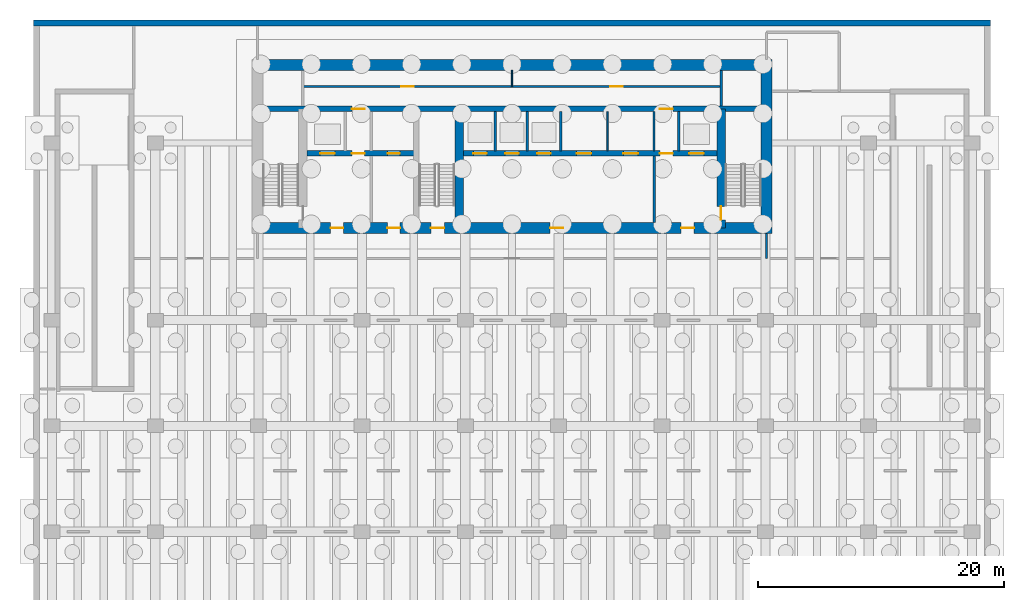
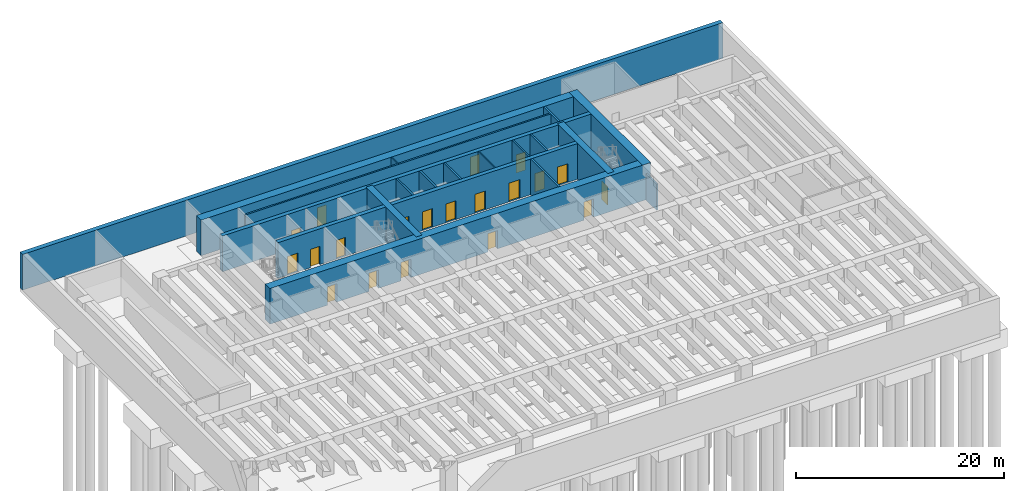
# One storey, part 5 of 10: 20 doors, 19 walls, 20 openings.
"""IFC4 building model written with IfcOpenShell, lengths in metres."""

from ifc_helpers import new_model, si_unit, direction, frame, frame_2d, origin, place, context, subcontext, project, spatial, rectangle, extrude, material, layer, layer_set, type_object, element, fill, save


model = new_model("IFC4")

# Units and contexts
model_context = context("Model", 3, precision=1e-05, world=origin(), true_north=direction((0.0, 1.0)))
body_context = subcontext(model_context, "Body", "Model", "MODEL_VIEW")
ifc_project = project(units=[si_unit("LENGTHUNIT", "METRE"), si_unit("AREAUNIT", "SQUARE_METRE"), si_unit("VOLUMEUNIT", "CUBIC_METRE"), si_unit("PLANEANGLEUNIT", "RADIAN"), si_unit("MASSUNIT", "GRAM", prefix="KILO")], contexts=[model_context])

# Site, building, storey
site_placement = place(None, origin())
site = spatial("IfcSite", under=ifc_project, at=site_placement, CompositionType="ELEMENT")
building_placement = place(site_placement, origin())
building = spatial("IfcBuilding", under=site, at=building_placement, Name="Caelmar Bay Residences", CompositionType="ELEMENT")
storey_placement = place(building_placement, frame((0.0, 0.0, -9.0)))
storey = spatial("IfcBuildingStorey", under=building, at=storey_placement, Name="B02", CompositionType="ELEMENT", Elevation=-9.0)

# Wall
ifc_material_1 = material(Name="Concrete f'c 40 MPa (6,000 psi)", Category="concrete")
ifc_layer_1 = layer(ifc_material_1, 0.5)
ifc_layer_set_1 = layer_set([ifc_layer_1], Name="Concrete f'c 40 MPa (6,000 psi)")
wall_type_1 = type_object("IfcWallType", Name="SW-BSM-500", PredefinedType="SOLIDWALL", material=ifc_layer_set_1)
wall_1_placement = place(storey_placement, frame((0.0, 53.550048828125, 0.0), z_axis=(0.0, 0.0, 1.0), x_axis=(1.0, 0.0, 0.0)))
element("IfcWall", 1, at=wall_1_placement, inside=storey, type_object=wall_type_1, Name="B02 Perimeter Concrete Retaining Wall N", PredefinedType="SOLIDWALL", context=body_context, shape_type="SweptSolid", body=[
    extrude(rectangle(XDim=77.800048828125, YDim=0.5, at=frame_2d((38.89990234375, 0.0))), origin(), (0.0, 0.0, 1.0), 4.199951171875),
])

# Wall, opening, door
ifc_material_2 = material(Name="Concrete f'c 55 MPa (8,000 psi)", Category="concrete")
ifc_layer_2 = layer(ifc_material_2, 0.699951171875)
ifc_layer_set_2 = layer_set([ifc_layer_2], Name="Concrete f'c 55 MPa (8,000 psi)")
wall_type_2 = type_object("IfcWallType", Name="SW-COR-700", PredefinedType="SHEAR", material=ifc_layer_set_2)
wall_2_placement = place(storey_placement, frame((55.89990234375, 36.89990234375, 0.0), z_axis=(0.0, 0.0, 1.0), x_axis=(0.0, 1.0, 0.0)))
wall_2 = element("IfcWall", 2, at=wall_2_placement, inside=storey, type_object=wall_type_2, Name="B02 Core Structural Web Wall ST2W", PredefinedType="SHEAR", context=body_context, shape_type="SweptSolid", body=[
    extrude(rectangle(XDim=9.675048828125, YDim=0.699951171875, at=frame_2d((4.83740234375, 0.0))), origin(), (0.0, 0.0, 1.0), 4.199951171875),
])
opening_1_placement = place(wall_2_placement, frame((0.64990234375, 0.0, 0.0)))
opening_1 = element("IfcOpeningElement", 3, at=opening_1_placement, cuts=wall_2, Name="Opening D-B02-111", PredefinedType="OPENING", context=body_context, shape_type="SweptSolid", body=[
    extrude(rectangle(XDim=1.10009765625, YDim=2.14990234375, at=frame_2d((0.550048828125, 1.074951171875))), frame((0.0, 0.35986328125, 0.0), z_axis=(0.0, -1.0, 0.0), x_axis=(1.0, 0.0, 0.0)), (0.0, 0.0, 1.0), 0.719970703125),
])
ifc_material_3 = material(Name="Fire-rated steel and walnut architectural door assembly", Category="steel")
ifc_layer_3 = layer(ifc_material_3, 0.050048828125)
ifc_layer_set_3 = layer_set([ifc_layer_3], Name="Fire-rated steel and walnut architectural door assembly")
door_type_1 = type_object("IfcDoorType", Name="D-STAIR-1100", OperationType="NOTDEFINED", PredefinedType="DOOR", material=ifc_layer_set_3)
door_1_placement = place(opening_1_placement, origin())
door_1 = element("IfcDoor", 4, at=door_1_placement, inside=storey, type_object=door_type_1, Name="B02 Firefighting Lobby East Door", OperationType="SINGLE_SWING_RIGHT", OverallHeight=2.14990234375, OverallWidth=1.10009765625, PredefinedType="DOOR", context=body_context, shape_type="SweptSolid", body=[
    extrude(rectangle(XDim=1.10009765625, YDim=2.14990234375, at=frame_2d((0.550048828125, 1.074951171875))), frame((0.0, 0.02490234375, 0.0), z_axis=(0.0, -1.0, 0.0), x_axis=(1.0, 0.0, 0.0)), (0.0, 0.0, 1.0), 0.050048828125),
])
fill(opening_1, door_1)

# Wall
wall_3_placement = place(storey_placement, frame((34.60009765625, 36.89990234375, 0.0), z_axis=(0.0, 0.0, 1.0), x_axis=(0.0, 1.0, 0.0)))
element("IfcWall", 5, at=wall_3_placement, inside=storey, type_object=wall_type_2, Name="B02 Core Structural Web Wall ST3E", PredefinedType="SHEAR", context=body_context, shape_type="SweptSolid", body=[
    extrude(rectangle(XDim=9.675048828125, YDim=0.699951171875, at=frame_2d((4.83740234375, 0.0))), origin(), (0.0, 0.0, 1.0), 4.199951171875),
])

# Wall, openings, doors
ifc_material_4 = material(Name="Concrete f'c 70 MPa (10,000 psi)", Category="concrete")
ifc_layer_4 = layer(ifc_material_4, 0.89990234375)
ifc_layer_set_4 = layer_set([ifc_layer_4], Name="Concrete f'c 70 MPa (10,000 psi)")
wall_type_3 = type_object("IfcWallType", Name="SW-COR-900", PredefinedType="SHEAR", material=ifc_layer_set_4)
wall_4_placement = place(storey_placement, frame((17.75, 36.89990234375, 0.0), z_axis=(0.0, 0.0, 1.0), x_axis=(1.0, 0.0, 0.0)))
wall_4 = element("IfcWall", 6, at=wall_4_placement, inside=storey, type_object=wall_type_3, Name="B02 Rear Core South Shear Wall", PredefinedType="SHEAR", context=body_context, shape_type="SweptSolid", body=[
    extrude(rectangle(XDim=42.300048828125, YDim=0.89990234375, at=frame_2d((21.14990234375, 0.0))), origin(), (0.0, 0.0, 1.0), 4.199951171875),
])
opening_2_placement = place(wall_4_placement, frame((14.550048828125, 0.0, 0.0)))
opening_2 = element("IfcOpeningElement", 7, at=opening_2_placement, cuts=wall_4, Name="Opening D-B02-106", PredefinedType="OPENING", context=body_context, shape_type="SweptSolid", body=[
    extrude(rectangle(XDim=1.10009765625, YDim=2.14990234375, at=frame_2d((0.550048828125, 1.074951171875))), frame((0.0, 0.4599609375, 0.0), z_axis=(0.0, -1.0, 0.0), x_axis=(1.0, 0.0, 0.0)), (0.0, 0.0, 1.0), 0.919921875),
])
opening_3_placement = place(wall_4_placement, frame((6.39990234375, 0.0, 0.0)))
opening_3 = element("IfcOpeningElement", 8, at=opening_3_placement, cuts=wall_4, Name="Opening D-B02-107", PredefinedType="OPENING", context=body_context, shape_type="SweptSolid", body=[
    extrude(rectangle(XDim=1.050048828125, YDim=2.14990234375, at=frame_2d((0.52490234375, 1.074951171875))), frame((0.0, 0.4599609375, 0.0), z_axis=(0.0, -1.0, 0.0), x_axis=(1.0, 0.0, 0.0)), (0.0, 0.0, 1.0), 0.919921875),
])
opening_4_placement = place(wall_4_placement, frame((34.89990234375, 0.0, 0.0)))
opening_4 = element("IfcOpeningElement", 9, at=opening_4_placement, cuts=wall_4, Name="Opening D-B02-110", PredefinedType="OPENING", context=body_context, shape_type="SweptSolid", body=[
    extrude(rectangle(XDim=1.050048828125, YDim=2.14990234375, at=frame_2d((0.52490234375, 1.074951171875))), frame((0.0, 0.4599609375, 0.0), z_axis=(0.0, -1.0, 0.0), x_axis=(1.0, 0.0, 0.0)), (0.0, 0.0, 1.0), 0.919921875),
])
opening_5_placement = place(wall_4_placement, frame((11.012451171875, 0.0, 0.0)))
opening_5 = element("IfcOpeningElement", 10, at=opening_5_placement, cuts=wall_4, Name="Opening D-B02-113", PredefinedType="OPENING", context=body_context, shape_type="SweptSolid", body=[
    extrude(rectangle(XDim=1.050048828125, YDim=2.14990234375, at=frame_2d((0.52490234375, 1.074951171875))), frame((0.0, 0.4599609375, 0.0), z_axis=(0.0, -1.0, 0.0), x_axis=(1.0, 0.0, 0.0)), (0.0, 0.0, 1.0), 0.919921875),
])
opening_6_placement = place(wall_4_placement, frame((24.25, 0.0, 0.0)))
opening_6 = element("IfcOpeningElement", 11, at=opening_6_placement, cuts=wall_4, Name="Opening D-B02-115", PredefinedType="OPENING", context=body_context, shape_type="SweptSolid", body=[
    extrude(rectangle(XDim=1.050048828125, YDim=2.14990234375, at=frame_2d((0.52490234375, 1.074951171875))), frame((0.0, 0.4599609375, 0.0), z_axis=(0.0, -1.0, 0.0), x_axis=(1.0, 0.0, 0.0)), (0.0, 0.0, 1.0), 0.919921875),
])
ifc_layer_5 = layer(ifc_material_3, 0.050048828125)
ifc_layer_set_5 = layer_set([ifc_layer_5], Name="Fire-rated steel and walnut architectural door assembly")
door_type_2 = type_object("IfcDoorType", Name="D-FSAE-1050", OperationType="NOTDEFINED", PredefinedType="DOOR", material=ifc_layer_set_5)
door_2_placement = place(opening_3_placement, origin())
door_2 = element("IfcDoor", 12, at=door_2_placement, inside=storey, type_object=door_type_2, Name="B02 Firefighting Lobby West Door", OperationType="SINGLE_SWING_RIGHT", OverallHeight=2.14990234375, OverallWidth=1.050048828125, PredefinedType="DOOR", context=body_context, shape_type="SweptSolid", body=[
    extrude(rectangle(XDim=1.050048828125, YDim=2.14990234375, at=frame_2d((0.52490234375, 1.074951171875))), frame((0.0, 0.02490234375, 0.0), z_axis=(0.0, -1.0, 0.0), x_axis=(1.0, 0.0, 0.0)), (0.0, 0.0, 1.0), 0.050048828125),
])
fill(opening_3, door_2)
door_3_placement = place(opening_4_placement, origin())
door_3 = element("IfcDoor", 13, at=door_3_placement, inside=storey, type_object=door_type_2, Name="B02 Firefighting Lobby East Door", OperationType="SINGLE_SWING_LEFT", OverallHeight=2.14990234375, OverallWidth=1.050048828125, PredefinedType="DOOR", context=body_context, shape_type="SweptSolid", body=[
    extrude(rectangle(XDim=1.050048828125, YDim=2.14990234375, at=frame_2d((0.52490234375, 1.074951171875))), frame((0.0, 0.02490234375, 0.0), z_axis=(0.0, -1.0, 0.0), x_axis=(1.0, 0.0, 0.0)), (0.0, 0.0, 1.0), 0.050048828125),
])
fill(opening_4, door_3)
door_4_placement = place(opening_5_placement, origin())
door_4 = element("IfcDoor", 14, at=door_4_placement, inside=storey, type_object=door_type_2, Name="B02 West Lift Lobby Door", OperationType="SINGLE_SWING_RIGHT", OverallHeight=2.14990234375, OverallWidth=1.050048828125, PredefinedType="DOOR", context=body_context, shape_type="SweptSolid", body=[
    extrude(rectangle(XDim=1.050048828125, YDim=2.14990234375, at=frame_2d((0.52490234375, 1.074951171875))), frame((0.0, 0.02490234375, 0.0), z_axis=(0.0, -1.0, 0.0), x_axis=(1.0, 0.0, 0.0)), (0.0, 0.0, 1.0), 0.050048828125),
])
fill(opening_5, door_4)
door_5_placement = place(opening_6_placement, origin())
door_5 = element("IfcDoor", 15, at=door_5_placement, inside=storey, type_object=door_type_2, Name="B02 Passenger Lift Lobby Door", OperationType="SINGLE_SWING_RIGHT", OverallHeight=2.14990234375, OverallWidth=1.050048828125, PredefinedType="DOOR", context=body_context, shape_type="SweptSolid", body=[
    extrude(rectangle(XDim=1.050048828125, YDim=2.14990234375, at=frame_2d((0.52490234375, 1.074951171875))), frame((0.0, 0.02490234375, 0.0), z_axis=(0.0, -1.0, 0.0), x_axis=(1.0, 0.0, 0.0)), (0.0, 0.0, 1.0), 0.050048828125),
])
fill(opening_6, door_5)
door_6_placement = place(opening_2_placement, origin())
door_6 = element("IfcDoor", 16, at=door_6_placement, inside=storey, type_object=door_type_1, Name="B02 Exit Stair ST3 Door", OperationType="SINGLE_SWING_LEFT", OverallHeight=2.14990234375, OverallWidth=1.10009765625, PredefinedType="DOOR", context=body_context, shape_type="SweptSolid", body=[
    extrude(rectangle(XDim=1.10009765625, YDim=2.14990234375, at=frame_2d((0.550048828125, 1.074951171875))), frame((0.0, 0.02490234375, 0.0), z_axis=(0.0, -1.0, 0.0), x_axis=(1.0, 0.0, 0.0)), (0.0, 0.0, 1.0), 0.050048828125),
])
fill(opening_2, door_6)

# Walls
wall_5_placement = place(storey_placement, frame((17.75, 50.14990234375, 0.0), z_axis=(0.0, 0.0, 1.0), x_axis=(1.0, 0.0, 0.0)))
element("IfcWall", 17, at=wall_5_placement, inside=storey, type_object=wall_type_3, Name="B02 Rear Core North Shear Wall", PredefinedType="SHEAR", context=body_context, shape_type="SweptSolid", body=[
    extrude(rectangle(XDim=42.300048828125, YDim=0.89990234375, at=frame_2d((21.14990234375, 0.0))), origin(), (0.0, 0.0, 1.0), 4.199951171875),
])
wall_6_placement = place(storey_placement, frame((59.60009765625, 36.449951171875, 0.0), z_axis=(0.0, 0.0, 1.0), x_axis=(0.0, 1.0, 0.0)))
element("IfcWall", 18, at=wall_6_placement, inside=storey, type_object=wall_type_3, Name="B02 Rear Core East Shear Wall", PredefinedType="SHEAR", context=body_context, shape_type="SweptSolid", body=[
    extrude(rectangle(XDim=14.150146484375, YDim=0.89990234375, at=frame_2d((7.0751953125, 0.0))), origin(), (0.0, 0.0, 1.0), 4.199951171875),
])

# Wall, openings, doors
ifc_layer_6 = layer(ifc_material_4, 0.449951171875)
ifc_layer_set_6 = layer_set([ifc_layer_6], Name="Concrete f'c 70 MPa (10,000 psi)")
wall_type_4 = type_object("IfcWallType", Name="SW-WEB-450", PredefinedType="SHEAR", material=ifc_layer_set_6)
wall_7_placement = place(storey_placement, frame((22.25, 42.949951171875, 0.0), z_axis=(0.0, 0.0, 1.0), x_axis=(1.0, 0.0, 0.0)))
wall_7 = element("IfcWall", 19, at=wall_7_placement, inside=storey, type_object=wall_type_4, Name="B02 Core Structural Web Wall LFR", PredefinedType="SHEAR", context=body_context, shape_type="SweptSolid", body=[
    extrude(rectangle(XDim=33.300048828125, YDim=0.449951171875, at=frame_2d((16.64990234375, 0.0))), origin(), (0.0, 0.0, 1.0), 4.199951171875),
])
opening_7_placement = place(wall_7_placement, frame((1.050048828125, 0.0, 0.0)))
opening_7 = element("IfcOpeningElement", 20, at=opening_7_placement, cuts=wall_7, Name="Opening LD2", PredefinedType="OPENING", context=body_context, shape_type="SweptSolid", body=[
    extrude(rectangle(XDim=1.199951171875, YDim=2.199951171875, at=frame_2d((0.60009765625, 1.10009765625))), frame((0.0, 0.23486328125, 0.0), z_axis=(0.0, -1.0, 0.0), x_axis=(1.0, 0.0, 0.0)), (0.0, 0.0, 1.0), 0.469970703125),
])
opening_8_placement = place(wall_7_placement, frame((31.050048828125, 0.0, 0.0)))
opening_8 = element("IfcOpeningElement", 21, at=opening_8_placement, cuts=wall_7, Name="Opening LD2", PredefinedType="OPENING", context=body_context, shape_type="SweptSolid", body=[
    extrude(rectangle(XDim=1.199951171875, YDim=2.199951171875, at=frame_2d((0.60009765625, 1.10009765625))), frame((0.0, 0.23486328125, 0.0), z_axis=(0.0, -1.0, 0.0), x_axis=(1.0, 0.0, 0.0)), (0.0, 0.0, 1.0), 0.469970703125),
])
opening_9_placement = place(wall_7_placement, frame((13.5, 0.0, 0.0)))
opening_9 = element("IfcOpeningElement", 22, at=opening_9_placement, cuts=wall_7, Name="Opening LD1", PredefinedType="OPENING", context=body_context, shape_type="SweptSolid", body=[
    extrude(rectangle(XDim=1.10009765625, YDim=2.199951171875, at=frame_2d((0.550048828125, 1.10009765625))), frame((0.0, 0.23486328125, 0.0), z_axis=(0.0, -1.0, 0.0), x_axis=(1.0, 0.0, 0.0)), (0.0, 0.0, 1.0), 0.469970703125),
])
opening_10_placement = place(wall_7_placement, frame((16.10009765625, 0.0, 0.0)))
opening_10 = element("IfcOpeningElement", 23, at=opening_10_placement, cuts=wall_7, Name="Opening LD1", PredefinedType="OPENING", context=body_context, shape_type="SweptSolid", body=[
    extrude(rectangle(XDim=1.10009765625, YDim=2.199951171875, at=frame_2d((0.550048828125, 1.10009765625))), frame((0.0, 0.23486328125, 0.0), z_axis=(0.0, -1.0, 0.0), x_axis=(1.0, 0.0, 0.0)), (0.0, 0.0, 1.0), 0.469970703125),
])
opening_11_placement = place(wall_7_placement, frame((18.699951171875, 0.0, 0.0)))
opening_11 = element("IfcOpeningElement", 24, at=opening_11_placement, cuts=wall_7, Name="Opening LD1", PredefinedType="OPENING", context=body_context, shape_type="SweptSolid", body=[
    extrude(rectangle(XDim=1.10009765625, YDim=2.199951171875, at=frame_2d((0.550048828125, 1.10009765625))), frame((0.0, 0.23486328125, 0.0), z_axis=(0.0, -1.0, 0.0), x_axis=(1.0, 0.0, 0.0)), (0.0, 0.0, 1.0), 0.469970703125),
])
opening_12_placement = place(wall_7_placement, frame((3.625, 0.0, 0.0)))
opening_12 = element("IfcOpeningElement", 25, at=opening_12_placement, cuts=wall_7, Name="Opening D-B02-109", PredefinedType="OPENING", context=body_context, shape_type="SweptSolid", body=[
    extrude(rectangle(XDim=1.050048828125, YDim=2.14990234375, at=frame_2d((0.52490234375, 1.074951171875))), frame((0.0, 0.23486328125, 0.0), z_axis=(0.0, -1.0, 0.0), x_axis=(1.0, 0.0, 0.0)), (0.0, 0.0, 1.0), 0.469970703125),
])
opening_13_placement = place(wall_7_placement, frame((28.675048828125, 0.0, 0.0)))
opening_13 = element("IfcOpeningElement", 26, at=opening_13_placement, cuts=wall_7, Name="Opening D-B02-112", PredefinedType="OPENING", context=body_context, shape_type="SweptSolid", body=[
    extrude(rectangle(XDim=1.050048828125, YDim=2.14990234375, at=frame_2d((0.52490234375, 1.074951171875))), frame((0.0, 0.23486328125, 0.0), z_axis=(0.0, -1.0, 0.0), x_axis=(1.0, 0.0, 0.0)), (0.0, 0.0, 1.0), 0.469970703125),
])
opening_14_placement = place(wall_7_placement, frame((6.53759765625, 0.0, 0.0)))
opening_14 = element("IfcOpeningElement", 27, at=opening_14_placement, cuts=wall_7, Name="Opening D-B02-114", PredefinedType="OPENING", context=body_context, shape_type="SweptSolid", body=[
    extrude(rectangle(XDim=1.0, YDim=2.199951171875, at=frame_2d((0.5, 1.10009765625))), frame((0.0, 0.23486328125, 0.0), z_axis=(0.0, -1.0, 0.0), x_axis=(1.0, 0.0, 0.0)), (0.0, 0.0, 1.0), 0.469970703125),
])
opening_15_placement = place(wall_7_placement, frame((21.89990234375, 0.0, 0.0)))
opening_15 = element("IfcOpeningElement", 28, at=opening_15_placement, cuts=wall_7, Name="Opening D-B02-116", PredefinedType="OPENING", context=body_context, shape_type="SweptSolid", body=[
    extrude(rectangle(XDim=1.199951171875, YDim=2.199951171875, at=frame_2d((0.60009765625, 1.10009765625))), frame((0.0, 0.23486328125, 0.0), z_axis=(0.0, -1.0, 0.0), x_axis=(1.0, 0.0, 0.0)), (0.0, 0.0, 1.0), 0.469970703125),
])
opening_16_placement = place(wall_7_placement, frame((25.699951171875, 0.0, 0.0)))
opening_16 = element("IfcOpeningElement", 29, at=opening_16_placement, cuts=wall_7, Name="Opening D-B02-117", PredefinedType="OPENING", context=body_context, shape_type="SweptSolid", body=[
    extrude(rectangle(XDim=1.199951171875, YDim=2.199951171875, at=frame_2d((0.60009765625, 1.10009765625))), frame((0.0, 0.23486328125, 0.0), z_axis=(0.0, -1.0, 0.0), x_axis=(1.0, 0.0, 0.0)), (0.0, 0.0, 1.0), 0.469970703125),
])
door_7_placement = place(opening_12_placement, origin())
door_7 = element("IfcDoor", 30, at=door_7_placement, inside=storey, type_object=door_type_2, Name="B02 Firefighting Lobby West Door", OperationType="SINGLE_SWING_RIGHT", OverallHeight=2.14990234375, OverallWidth=1.050048828125, PredefinedType="DOOR", context=body_context, shape_type="SweptSolid", body=[
    extrude(rectangle(XDim=1.050048828125, YDim=2.14990234375, at=frame_2d((0.52490234375, 1.074951171875))), frame((0.0, 0.02490234375, 0.0), z_axis=(0.0, -1.0, 0.0), x_axis=(1.0, 0.0, 0.0)), (0.0, 0.0, 1.0), 0.050048828125),
])
fill(opening_12, door_7)
door_8_placement = place(opening_13_placement, origin())
door_8 = element("IfcDoor", 31, at=door_8_placement, inside=storey, type_object=door_type_2, Name="B02 Firefighting Lobby East Door", OperationType="SINGLE_SWING_LEFT", OverallHeight=2.14990234375, OverallWidth=1.050048828125, PredefinedType="DOOR", context=body_context, shape_type="SweptSolid", body=[
    extrude(rectangle(XDim=1.050048828125, YDim=2.14990234375, at=frame_2d((0.52490234375, 1.074951171875))), frame((0.0, 0.02490234375, 0.0), z_axis=(0.0, -1.0, 0.0), x_axis=(1.0, 0.0, 0.0)), (0.0, 0.0, 1.0), 0.050048828125),
])
fill(opening_13, door_8)
ifc_material_5 = material(Name="Brushed bronze stainless-steel fire-rated lift landing doors", Category="steel")
ifc_layer_7 = layer(ifc_material_5, 0.050048828125)
ifc_layer_set_7 = layer_set([ifc_layer_7], Name="Brushed bronze stainless-steel fire-rated lift landing doors")
door_type_3 = type_object("IfcDoorType", Name="D-LND-1100", OperationType="DOUBLE_DOOR_SLIDING", PredefinedType="DOOR", material=ifc_layer_set_7)
door_9_placement = place(opening_9_placement, origin())
door_9 = element("IfcDoor", 32, at=door_9_placement, inside=storey, type_object=door_type_3, Name="B02 LP1 Sliding Landing Door", OperationType="DOUBLE_DOOR_SLIDING", OverallHeight=2.199951171875, OverallWidth=1.10009765625, PredefinedType="DOOR", context=body_context, shape_type="SweptSolid", body=[
    extrude(rectangle(XDim=1.10009765625, YDim=2.199951171875, at=frame_2d((0.550048828125, 1.10009765625))), frame((0.0, 0.02490234375, 0.0), z_axis=(0.0, -1.0, 0.0), x_axis=(1.0, 0.0, 0.0)), (0.0, 0.0, 1.0), 0.050048828125),
])
fill(opening_9, door_9)
door_10_placement = place(opening_10_placement, origin())
door_10 = element("IfcDoor", 33, at=door_10_placement, inside=storey, type_object=door_type_3, Name="B02 LP2 Sliding Landing Door", OperationType="DOUBLE_DOOR_SLIDING", OverallHeight=2.199951171875, OverallWidth=1.10009765625, PredefinedType="DOOR", context=body_context, shape_type="SweptSolid", body=[
    extrude(rectangle(XDim=1.10009765625, YDim=2.199951171875, at=frame_2d((0.550048828125, 1.10009765625))), frame((0.0, 0.02490234375, 0.0), z_axis=(0.0, -1.0, 0.0), x_axis=(1.0, 0.0, 0.0)), (0.0, 0.0, 1.0), 0.050048828125),
])
fill(opening_10, door_10)
door_11_placement = place(opening_11_placement, origin())
door_11 = element("IfcDoor", 34, at=door_11_placement, inside=storey, type_object=door_type_3, Name="B02 LP3 Sliding Landing Door", OperationType="DOUBLE_DOOR_SLIDING", OverallHeight=2.199951171875, OverallWidth=1.10009765625, PredefinedType="DOOR", context=body_context, shape_type="SweptSolid", body=[
    extrude(rectangle(XDim=1.10009765625, YDim=2.199951171875, at=frame_2d((0.550048828125, 1.10009765625))), frame((0.0, 0.02490234375, 0.0), z_axis=(0.0, -1.0, 0.0), x_axis=(1.0, 0.0, 0.0)), (0.0, 0.0, 1.0), 0.050048828125),
])
fill(opening_11, door_11)
ifc_material_6 = material(Name="Brushed stainless-steel FSAE sliding landing door", Category="steel")
ifc_layer_8 = layer(ifc_material_6, 0.050048828125)
ifc_layer_set_8 = layer_set([ifc_layer_8], Name="Brushed stainless-steel FSAE sliding landing door")
door_type_4 = type_object("IfcDoorType", Name="D-LND-1200", OperationType="DOUBLE_DOOR_SLIDING", PredefinedType="DOOR", material=ifc_layer_set_8)
door_12_placement = place(opening_7_placement, origin())
door_12 = element("IfcDoor", 35, at=door_12_placement, inside=storey, type_object=door_type_4, Name="B02 LF1 Sliding Landing Door", OperationType="DOUBLE_DOOR_SLIDING", OverallHeight=2.199951171875, OverallWidth=1.199951171875, PredefinedType="DOOR", context=body_context, shape_type="SweptSolid", body=[
    extrude(rectangle(XDim=1.199951171875, YDim=2.199951171875, at=frame_2d((0.60009765625, 1.10009765625))), frame((0.0, 0.02490234375, 0.0), z_axis=(0.0, -1.0, 0.0), x_axis=(1.0, 0.0, 0.0)), (0.0, 0.0, 1.0), 0.050048828125),
])
fill(opening_7, door_12)
door_13_placement = place(opening_8_placement, origin())
door_13 = element("IfcDoor", 36, at=door_13_placement, inside=storey, type_object=door_type_4, Name="B02 LF2 Sliding Landing Door", OperationType="DOUBLE_DOOR_SLIDING", OverallHeight=2.199951171875, OverallWidth=1.199951171875, PredefinedType="DOOR", context=body_context, shape_type="SweptSolid", body=[
    extrude(rectangle(XDim=1.199951171875, YDim=2.199951171875, at=frame_2d((0.60009765625, 1.10009765625))), frame((0.0, 0.02490234375, 0.0), z_axis=(0.0, -1.0, 0.0), x_axis=(1.0, 0.0, 0.0)), (0.0, 0.0, 1.0), 0.050048828125),
])
fill(opening_8, door_13)
ifc_layer_9 = layer(ifc_material_3, 0.050048828125)
ifc_layer_set_9 = layer_set([ifc_layer_9], Name="Fire-rated steel and walnut architectural door assembly")
door_type_5 = type_object("IfcDoorType", Name="D-PLANT-1200", OperationType="NOTDEFINED", PredefinedType="DOOR", material=ifc_layer_set_9)
door_14_placement = place(opening_15_placement, origin())
door_14 = element("IfcDoor", 37, at=door_14_placement, inside=storey, type_object=door_type_5, Name="B02 Basement Core Storage Door", OperationType="SINGLE_SWING_LEFT", OverallHeight=2.199951171875, OverallWidth=1.199951171875, PredefinedType="DOOR", context=body_context, shape_type="SweptSolid", body=[
    extrude(rectangle(XDim=1.199951171875, YDim=2.199951171875, at=frame_2d((0.60009765625, 1.10009765625))), frame((0.0, 0.02490234375, 0.0), z_axis=(0.0, -1.0, 0.0), x_axis=(1.0, 0.0, 0.0)), (0.0, 0.0, 1.0), 0.050048828125),
])
fill(opening_15, door_14)
door_15_placement = place(opening_16_placement, origin())
door_15 = element("IfcDoor", 38, at=door_15_placement, inside=storey, type_object=door_type_5, Name="B02 Basement Tool Closet Door", OperationType="SINGLE_SWING_RIGHT", OverallHeight=2.199951171875, OverallWidth=1.199951171875, PredefinedType="DOOR", context=body_context, shape_type="SweptSolid", body=[
    extrude(rectangle(XDim=1.199951171875, YDim=2.199951171875, at=frame_2d((0.60009765625, 1.10009765625))), frame((0.0, 0.02490234375, 0.0), z_axis=(0.0, -1.0, 0.0), x_axis=(1.0, 0.0, 0.0)), (0.0, 0.0, 1.0), 0.050048828125),
])
fill(opening_16, door_15)
ifc_layer_10 = layer(ifc_material_3, 0.050048828125)
ifc_layer_set_10 = layer_set([ifc_layer_10], Name="Fire-rated steel and walnut architectural door assembly")
door_type_6 = type_object("IfcDoorType", Name="D-UNIT-1000", OperationType="NOTDEFINED", PredefinedType="DOOR", material=ifc_layer_set_10)
door_16_placement = place(opening_14_placement, origin())
door_16 = element("IfcDoor", 39, at=door_16_placement, inside=storey, type_object=door_type_6, Name="B02 Core Equipment Closet Door", OperationType="SINGLE_SWING_LEFT", OverallHeight=2.199951171875, OverallWidth=1.0, PredefinedType="DOOR", context=body_context, shape_type="SweptSolid", body=[
    extrude(rectangle(XDim=1.0, YDim=2.199951171875, at=frame_2d((0.5, 1.10009765625))), frame((0.0, 0.02490234375, 0.0), z_axis=(0.0, -1.0, 0.0), x_axis=(1.0, 0.0, 0.0)), (0.0, 0.0, 1.0), 0.050048828125),
])
fill(opening_14, door_16)

wall_8_placement = place(storey_placement, frame((18.199951171875, 46.574951171875, 0.0), z_axis=(0.0, 0.0, 1.0), x_axis=(1.0, 0.0, 0.0)))
wall_8 = element("IfcWall", 40, at=wall_8_placement, inside=storey, type_object=wall_type_4, Name="B02 Core Structural Web Wall SRVS", PredefinedType="SHEAR", context=body_context, shape_type="SweptSolid", body=[
    extrude(rectangle(XDim=41.400146484375, YDim=0.449951171875, at=frame_2d((20.7001953125, 0.0))), origin(), (0.0, 0.0, 1.0), 4.199951171875),
])
opening_17_placement = place(wall_8_placement, frame((7.675048828125, 0.0, 0.0)))
opening_17 = element("IfcOpeningElement", 41, at=opening_17_placement, cuts=wall_8, Name="Opening D-B02-118", PredefinedType="OPENING", context=body_context, shape_type="SweptSolid", body=[
    extrude(rectangle(XDim=1.050048828125, YDim=2.14990234375, at=frame_2d((0.52490234375, 1.074951171875))), frame((0.0, 0.23486328125, 0.0), z_axis=(0.0, -1.0, 0.0), x_axis=(1.0, 0.0, 0.0)), (0.0, 0.0, 1.0), 0.469970703125),
])
opening_18_placement = place(wall_8_placement, frame((32.72509765625, 0.0, 0.0)))
opening_18 = element("IfcOpeningElement", 42, at=opening_18_placement, cuts=wall_8, Name="Opening D-B02-119", PredefinedType="OPENING", context=body_context, shape_type="SweptSolid", body=[
    extrude(rectangle(XDim=1.050048828125, YDim=2.14990234375, at=frame_2d((0.52490234375, 1.074951171875))), frame((0.0, 0.23486328125, 0.0), z_axis=(0.0, -1.0, 0.0), x_axis=(1.0, 0.0, 0.0)), (0.0, 0.0, 1.0), 0.469970703125),
])
door_17_placement = place(opening_17_placement, origin())
door_17 = element("IfcDoor", 43, at=door_17_placement, inside=storey, type_object=door_type_2, Name="B02 Core Service Corridor Door", OperationType="SINGLE_SWING_LEFT", OverallHeight=2.14990234375, OverallWidth=1.050048828125, PredefinedType="DOOR", context=body_context, shape_type="SweptSolid", body=[
    extrude(rectangle(XDim=1.050048828125, YDim=2.14990234375, at=frame_2d((0.52490234375, 1.074951171875))), frame((0.0, 0.02490234375, 0.0), z_axis=(0.0, -1.0, 0.0), x_axis=(1.0, 0.0, 0.0)), (0.0, 0.0, 1.0), 0.050048828125),
])
fill(opening_17, door_17)
door_18_placement = place(opening_18_placement, origin())
door_18 = element("IfcDoor", 44, at=door_18_placement, inside=storey, type_object=door_type_2, Name="B02 Core Service Corridor Door", OperationType="SINGLE_SWING_RIGHT", OverallHeight=2.14990234375, OverallWidth=1.050048828125, PredefinedType="DOOR", context=body_context, shape_type="SweptSolid", body=[
    extrude(rectangle(XDim=1.050048828125, YDim=2.14990234375, at=frame_2d((0.52490234375, 1.074951171875))), frame((0.0, 0.02490234375, 0.0), z_axis=(0.0, -1.0, 0.0), x_axis=(1.0, 0.0, 0.0)), (0.0, 0.0, 1.0), 0.050048828125),
])
fill(opening_18, door_18)

# Walls
ifc_material_7 = material(Name="Double-stud acoustic fire-rated gypsum partition 180 mm")
ifc_layer_11 = layer(ifc_material_7, 0.179931640625)
ifc_layer_set_11 = layer_set([ifc_layer_11], Name="Double-stud acoustic fire-rated gypsum partition 180 mm")
wall_type_5 = type_object("IfcWallType", Name="W-COR-200", PredefinedType="PARTITIONING", material=ifc_layer_set_11)
wall_9_placement = place(storey_placement, frame((50.449951171875, 43.169921875, 0.0), z_axis=(0.0, 0.0, 1.0), x_axis=(0.0, 1.0, 0.0)))
element("IfcWall", 45, at=wall_9_placement, inside=storey, type_object=wall_type_5, Name="B02 Partition Wall V014", PredefinedType="PARTITIONING", context=body_context, shape_type="SweptSolid", body=[
    extrude(rectangle(XDim=3.18505859375, YDim=0.179931640625, at=frame_2d((1.592529296875, 0.0))), origin(), (0.0, 0.0, 1.0), 4.199951171875),
])
wall_10_placement = place(storey_placement, frame((59.60009765625, 34.39990234375, 0.0), z_axis=(0.0, 0.0, 1.0), x_axis=(0.0, 1.0, 0.0)))
element("IfcWall", 46, at=wall_10_placement, inside=storey, type_object=wall_type_5, Name="B02 Partition Wall V017", PredefinedType="PARTITIONING", context=body_context, shape_type="SweptSolid", body=[
    extrude(rectangle(XDim=2.045166015625, YDim=0.179931640625, at=frame_2d((1.0224609375, 0.0))), origin(), (0.0, 0.0, 1.0), 3.0849609375),
])

# Wall, openings, doors
wall_11_placement = place(storey_placement, frame((21.89990234375, 48.39990234375, 0.0), z_axis=(0.0, 0.0, 1.0), x_axis=(1.0, 0.0, 0.0)))
wall_11 = element("IfcWall", 47, at=wall_11_placement, inside=storey, type_object=wall_type_5, Name="B02 Partition Wall H026", PredefinedType="PARTITIONING", context=body_context, shape_type="SweptSolid", body=[
    extrude(rectangle(XDim=34.0, YDim=0.179931640625, at=frame_2d((17.0, 0.0))), origin(), (0.0, 0.0, 1.0), 4.199951171875),
])
opening_19_placement = place(wall_11_placement, frame((8.0, 0.0, 0.0)))
opening_19 = element("IfcOpeningElement", 48, at=opening_19_placement, cuts=wall_11, Name="Opening D-B02-120", PredefinedType="OPENING", context=body_context, shape_type="SweptSolid", body=[
    extrude(rectangle(XDim=1.0, YDim=2.199951171875, at=frame_2d((0.5, 1.10009765625))), frame((0.0, 0.099853515625, 0.0), z_axis=(0.0, -1.0, 0.0), x_axis=(1.0, 0.0, 0.0)), (0.0, 0.0, 1.0), 0.199951171875),
])
opening_20_placement = place(wall_11_placement, frame((25.0, 0.0, 0.0)))
opening_20 = element("IfcOpeningElement", 49, at=opening_20_placement, cuts=wall_11, Name="Opening D-B02-121", PredefinedType="OPENING", context=body_context, shape_type="SweptSolid", body=[
    extrude(rectangle(XDim=1.0, YDim=2.199951171875, at=frame_2d((0.5, 1.10009765625))), frame((0.0, 0.099853515625, 0.0), z_axis=(0.0, -1.0, 0.0), x_axis=(1.0, 0.0, 0.0)), (0.0, 0.0, 1.0), 0.199951171875),
])
door_19_placement = place(opening_19_placement, origin())
door_19 = element("IfcDoor", 50, at=door_19_placement, inside=storey, type_object=door_type_6, Name="B02 Building Management Office Door", OperationType="SINGLE_SWING_LEFT", OverallHeight=2.199951171875, OverallWidth=1.0, PredefinedType="DOOR", context=body_context, shape_type="SweptSolid", body=[
    extrude(rectangle(XDim=1.0, YDim=2.199951171875, at=frame_2d((0.5, 1.10009765625))), frame((0.0, 0.02490234375, 0.0), z_axis=(0.0, -1.0, 0.0), x_axis=(1.0, 0.0, 0.0)), (0.0, 0.0, 1.0), 0.050048828125),
])
fill(opening_19, door_19)
door_20_placement = place(opening_20_placement, origin())
door_20 = element("IfcDoor", 51, at=door_20_placement, inside=storey, type_object=door_type_6, Name="B02 Concierge Operations Office Door", OperationType="SINGLE_SWING_RIGHT", OverallHeight=2.199951171875, OverallWidth=1.0, PredefinedType="DOOR", context=body_context, shape_type="SweptSolid", body=[
    extrude(rectangle(XDim=1.0, YDim=2.199951171875, at=frame_2d((0.5, 1.10009765625))), frame((0.0, 0.02490234375, 0.0), z_axis=(0.0, -1.0, 0.0), x_axis=(1.0, 0.0, 0.0)), (0.0, 0.0, 1.0), 0.050048828125),
])
fill(opening_20, door_20)

# Walls
ifc_material_8 = material(Name="Fire-rated masonry and gypsum shaftliner assembly 200 mm", Category="masonry")
ifc_layer_12 = layer(ifc_material_8, 0.199951171875)
ifc_layer_set_12 = layer_set([ifc_layer_12], Name="Fire-rated masonry and gypsum shaftliner assembly 200 mm")
wall_type_6 = type_object("IfcWallType", Name="W-FSAE-200", PredefinedType="PARTITIONING", material=ifc_layer_set_12)
for number, where, z_axis, x_axis, name in (
    (52, (37.550048828125, 43.169921875, 0.0), (0.0, 0.0, 1.0), (0.0, 1.0, 0.0), "B02 Partition Wall V008"),
    (53, (40.14990234375, 43.169921875, 0.0), (0.0, 0.0, 1.0), (0.0, 1.0, 0.0), "B02 Partition Wall V010"),
    (54, (42.85009765625, 43.169921875, 0.0), (0.0, 0.0, 1.0), (0.0, 1.0, 0.0), "B02 Partition Wall V011"),
):
    element("IfcWall", number, at=place(storey_placement, frame(where, z_axis=z_axis, x_axis=x_axis)), inside=storey, type_object=wall_type_6, Name=name, PredefinedType="PARTITIONING", context=body_context, shape_type="SweptSolid", body=[
        extrude(rectangle(XDim=3.18505859375, YDim=0.199951171875, at=frame_2d((1.592529296875, 0.0))), origin(), (0.0, 0.0, 1.0), 4.199951171875),
    ])
wall_12_placement = place(storey_placement, frame((50.449951171875, 37.344970703125, 0.0), z_axis=(0.0, 0.0, 1.0), x_axis=(0.0, 1.0, 0.0)))
element("IfcWall", 55, at=wall_12_placement, inside=storey, type_object=wall_type_6, Name="B02 Partition Wall V013", PredefinedType="PARTITIONING", context=body_context, shape_type="SweptSolid", body=[
    extrude(rectangle(XDim=5.385009765625, YDim=0.199951171875, at=frame_2d((2.6923828125, 0.0))), origin(), (0.0, 0.0, 1.0), 4.199951171875),
])
wall_13_placement = place(storey_placement, frame((52.449951171875, 43.169921875, 0.0), z_axis=(0.0, 0.0, 1.0), x_axis=(0.0, 1.0, 0.0)))
element("IfcWall", 56, at=wall_13_placement, inside=storey, type_object=wall_type_6, Name="B02 Partition Wall V015", PredefinedType="PARTITIONING", context=body_context, shape_type="SweptSolid", body=[
    extrude(rectangle(XDim=3.18505859375, YDim=0.199951171875, at=frame_2d((1.592529296875, 0.0))), origin(), (0.0, 0.0, 1.0), 4.199951171875),
])
wall_14_placement = place(storey_placement, frame((55.89990234375, 46.794921875, 0.0), z_axis=(0.0, 0.0, 1.0), x_axis=(0.0, 1.0, 0.0)))
element("IfcWall", 57, at=wall_14_placement, inside=storey, type_object=wall_type_6, Name="B02 Partition Wall V016", PredefinedType="PARTITIONING", context=body_context, shape_type="SweptSolid", body=[
    extrude(rectangle(XDim=2.91015625, YDim=0.199951171875, at=frame_2d((1.455078125, 0.0))), origin(), (0.0, 0.0, 1.0), 4.199951171875),
])
ifc_material_9 = material(Name="Acoustic metal-stud gypsum partition 120 mm")
ifc_layer_13 = layer(ifc_material_9, 0.1201171875)
ifc_layer_set_13 = layer_set([ifc_layer_13], Name="Acoustic metal-stud gypsum partition 120 mm")
wall_type_7 = type_object("IfcWallType", Name="W-PRT-120", PredefinedType="PARTITIONING", material=ifc_layer_set_13)
wall_15_placement = place(storey_placement, frame((38.89990234375, 48.39990234375, 0.0), z_axis=(0.0, 0.0, 1.0), x_axis=(0.0, 1.0, 0.0)))
element("IfcWall", 58, at=wall_15_placement, inside=storey, type_object=wall_type_7, Name="B02 Partition Wall V009", PredefinedType="PARTITIONING", context=body_context, shape_type="SweptSolid", body=[
    extrude(rectangle(XDim=1.30517578125, YDim=0.1201171875, at=frame_2d((0.652587890625, 0.0))), origin(), (0.0, 0.0, 1.0), 4.199951171875),
])
wall_16_placement = place(storey_placement, frame((46.64990234375, 43.169921875, 0.0), z_axis=(0.0, 0.0, 1.0), x_axis=(0.0, 1.0, 0.0)))
element("IfcWall", 59, at=wall_16_placement, inside=storey, type_object=wall_type_7, Name="B02 Partition Wall V012", PredefinedType="PARTITIONING", context=body_context, shape_type="SweptSolid", body=[
    extrude(rectangle(XDim=3.18505859375, YDim=0.1201171875, at=frame_2d((1.592529296875, 0.0))), origin(), (0.0, 0.0, 1.0), 4.199951171875),
])

save(model, "model.ifc")
